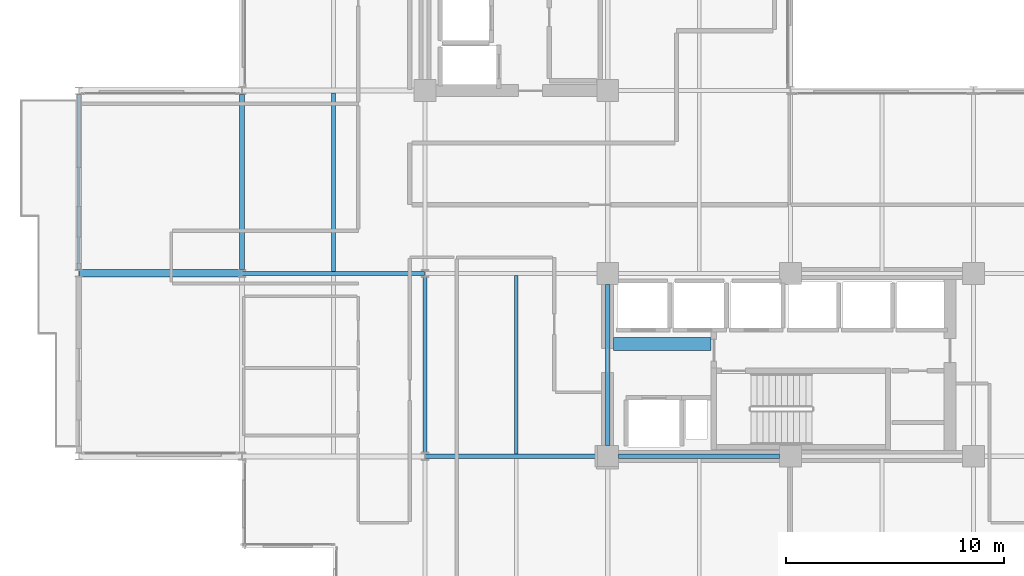
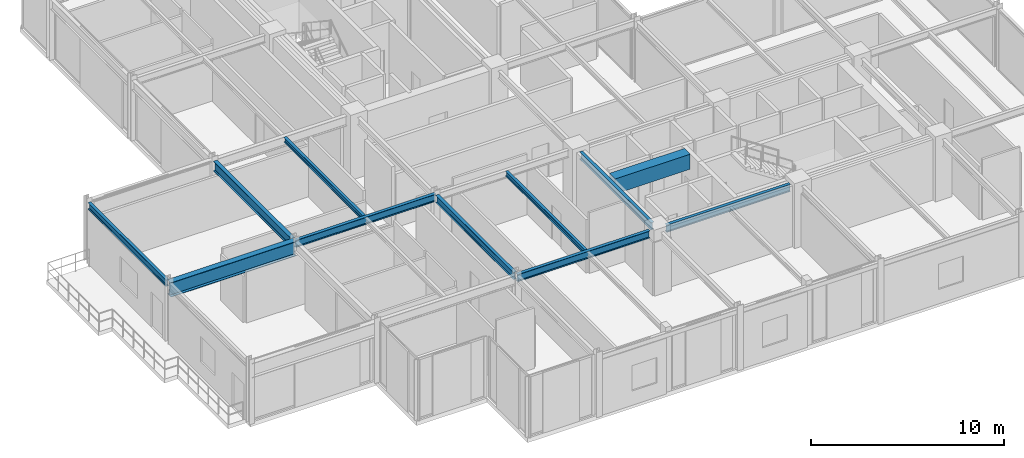
# One storey, part 8 of 29: 11 beams.
"""IFC4 building model written with IfcOpenShell, lengths in metres."""

from ifc_helpers import new_model, si_unit, direction, frame, origin, origin_2d, place, context, subcontext, project, spatial, rectangle, i_section, extrude, material, material_profile, profile_set, type_object, element, save


model = new_model("IFC4")

# Units and contexts
model_context = context("Model", 3, precision=1e-05, world=origin(), true_north=direction((0.0, 1.0)))
body_context = subcontext(model_context, "Body", "Model", "MODEL_VIEW")
ifc_project = project(units=[si_unit("LENGTHUNIT", "METRE"), si_unit("AREAUNIT", "SQUARE_METRE"), si_unit("VOLUMEUNIT", "CUBIC_METRE"), si_unit("PLANEANGLEUNIT", "RADIAN"), si_unit("MASSUNIT", "GRAM", prefix="KILO")], contexts=[model_context])

# Site, building, storey
site_placement = place(None, origin())
site = spatial("IfcSite", under=ifc_project, at=site_placement, CompositionType="ELEMENT")
building_placement = place(site_placement, origin())
building = spatial("IfcBuilding", under=site, at=building_placement, Name="Nerrivon Quay Data Exchange", CompositionType="ELEMENT")
storey_placement = place(building_placement, frame((0.0, 0.0, 187.800048828125)))
storey = spatial("IfcBuildingStorey", under=building, at=storey_placement, Name="L44", CompositionType="ELEMENT", Elevation=187.800048828125)

# Beams
ifc_material_1 = material(Name="Steel Grade 350", Category="steel")
ifc_material_profile_1 = material_profile(ifc_material_1, i_section(OverallWidth=0.35009765625, OverallDepth=0.909912109375, WebThickness=0.011962890625, FlangeThickness=0.02490234375, at=origin_2d()), Name="900WB218")
ifc_profile_set_1 = profile_set([ifc_material_profile_1], Name="Steel Grade 350")
beam_type_1 = type_object("IfcBeamType", Name="BM-CANT-900WB", PredefinedType="USERDEFINED", material=ifc_profile_set_1)
beam_1_placement = place(storey_placement, frame((-0.010009765625, 16.800048828125, 3.369873046875), z_axis=(-1.0, 0.0, 0.0), x_axis=(0.0, -1.0, 0.0)))
element("IfcBeam", 1, at=beam_1_placement, inside=storey, type_object=beam_type_1, Name="L44 West Hooked Cantilever Girder Y=16.8", ObjectType="TRANSFER", PredefinedType="USERDEFINED", context=body_context, shape_type="SweptSolid", body=[
    extrude(i_section(OverallWidth=0.35009765625, OverallDepth=0.909912109375, WebThickness=0.011962890625, FlangeThickness=0.02490234375, at=origin_2d()), origin(), (0.0, 0.0, 1.0), 7.482177734375),
])
ifc_material_2 = material(Name="Concrete N50 (50 MPa)", Category="concrete")
ifc_material_profile_2 = material_profile(ifc_material_2, rectangle(XDim=0.60009765625, YDim=0.949951171875, at=origin_2d()), Name="RC-CB-600x950")
ifc_profile_set_2 = profile_set([ifc_material_profile_2], Name="Concrete N50 (50 MPa)")
beam_type_2 = type_object("IfcBeamType", Name="BM-CB2-600x950", PredefinedType="LINTEL", material=ifc_profile_set_2)
beam_2_placement = place(storey_placement, frame((17.074951171875, 13.550048828125, 3.349853515625), z_axis=(1.0, 0.0, 0.0), x_axis=(0.0, 1.0, 0.0)))
element("IfcBeam", 2, at=beam_2_placement, inside=storey, type_object=beam_type_2, Name="L44 East Core Coupling Beam", PredefinedType="LINTEL", context=body_context, shape_type="SweptSolid", body=[
    extrude(rectangle(XDim=0.60009765625, YDim=0.949951171875, at=origin_2d()), origin(), (0.0, 0.0, 1.0), 4.47998046875),
])
ifc_material_profile_3 = material_profile(ifc_material_1, i_section(OverallWidth=0.22802734375, OverallDepth=0.60205078125, WebThickness=0.010498046875, FlangeThickness=0.014892578125, FilletRadius=0.013916015625, at=origin_2d()), Name="610UB101")
ifc_profile_set_3 = profile_set([ifc_material_profile_3], Name="Steel Grade 350")
beam_type_3 = type_object("IfcBeamType", Name="BM-G2-610UB101", PredefinedType="BEAM", material=ifc_profile_set_3)
beam_3_placement = place(storey_placement, frame((0.0, 16.97509765625, 3.52392578125), z_axis=(0.0, 1.0, 0.0), x_axis=(-1.0, 0.0, 0.0)))
element("IfcBeam", 3, at=beam_3_placement, inside=storey, type_object=beam_type_3, Name="L44 NS Girder X=0.0 (16.8..25.2)", PredefinedType="BEAM", context=body_context, shape_type="SweptSolid", body=[
    extrude(i_section(OverallWidth=0.22802734375, OverallDepth=0.60205078125, WebThickness=0.010498046875, FlangeThickness=0.014892578125, FilletRadius=0.013916015625, at=origin_2d()), origin(), (0.0, 0.0, 1.0), 8.0498046875),
])
ifc_material_profile_4 = material_profile(ifc_material_1, i_section(OverallWidth=0.19091796875, OverallDepth=0.4599609375, WebThickness=0.010009765625, FlangeThickness=0.01611328125, FilletRadius=0.011474609375, at=origin_2d()), Name="460UB82.1")
ifc_profile_set_4 = profile_set([ifc_material_profile_4], Name="Steel Grade 350")
beam_type_4 = type_object("IfcBeamType", Name="BM-G5-460UB82", PredefinedType="BEAM", material=ifc_profile_set_4)
beam_4_placement = place(storey_placement, frame((8.409912109375, 8.39990234375, 3.594970703125), z_axis=(1.0, 0.0, 0.0), x_axis=(0.0, 1.0, 0.0)))
element("IfcBeam", 4, at=beam_4_placement, inside=storey, type_object=beam_type_4, Name="L44 EW Girder Y=8.4 (8.4..16.8)", PredefinedType="BEAM", context=body_context, shape_type="SweptSolid", body=[
    extrude(i_section(OverallWidth=0.19091796875, OverallDepth=0.4599609375, WebThickness=0.010009765625, FlangeThickness=0.01611328125, FilletRadius=0.011474609375, at=origin_2d()), origin(), (0.0, 0.0, 1.0), 7.89013671875),
])
beam_5_placement = place(storey_placement, frame((17.300048828125, 8.39990234375, 3.594970703125), z_axis=(1.0, 0.0, 0.0), x_axis=(0.0, 1.0, 0.0)))
element("IfcBeam", 5, at=beam_5_placement, inside=storey, type_object=beam_type_4, Name="L44 EW Girder Y=8.4 (16.8..25.2)", PredefinedType="BEAM", context=body_context, shape_type="SweptSolid", body=[
    extrude(i_section(OverallWidth=0.19091796875, OverallDepth=0.4599609375, WebThickness=0.010009765625, FlangeThickness=0.01611328125, FilletRadius=0.011474609375, at=origin_2d()), origin(), (0.0, 0.0, 1.0), 7.39990234375),
])
beam_6_placement = place(storey_placement, frame((0.010009765625, 16.800048828125, 3.594970703125), z_axis=(1.0, 0.0, 0.0), x_axis=(0.0, 1.0, 0.0)))
element("IfcBeam", 6, at=beam_6_placement, inside=storey, type_object=beam_type_4, Name="L44 EW Girder Y=16.8 (0.0..8.4)", PredefinedType="BEAM", context=body_context, shape_type="SweptSolid", body=[
    extrude(i_section(OverallWidth=0.19091796875, OverallDepth=0.4599609375, WebThickness=0.010009765625, FlangeThickness=0.01611328125, FilletRadius=0.011474609375, at=origin_2d()), origin(), (0.0, 0.0, 1.0), 8.3798828125),
])
ifc_material_profile_5 = material_profile(ifc_material_1, i_section(OverallWidth=0.18994140625, OverallDepth=0.4541015625, WebThickness=0.008544921875, FlangeThickness=0.0126953125, FilletRadius=0.011474609375, at=origin_2d()), Name="460UB67.1")
ifc_profile_set_5 = profile_set([ifc_material_profile_5], Name="Steel Grade 350")
beam_type_5 = type_object("IfcBeamType", Name="BM-G6-460UB67", PredefinedType="BEAM", material=ifc_profile_set_5)
beam_7_placement = place(storey_placement, frame((8.39990234375, 8.574951171875, 3.597900390625), z_axis=(0.0, 1.0, 0.0), x_axis=(-1.0, 0.0, 0.0)))
element("IfcBeam", 7, at=beam_7_placement, inside=storey, type_object=beam_type_5, Name="L44 NS Girder X=8.4 (8.4..16.8)", PredefinedType="BEAM", context=body_context, shape_type="SweptSolid", body=[
    extrude(i_section(OverallWidth=0.18994140625, OverallDepth=0.4541015625, WebThickness=0.008544921875, FlangeThickness=0.0126953125, FilletRadius=0.011474609375, at=origin_2d()), origin(), (0.0, 0.0, 1.0), 8.050048828125),
])
beam_8_placement = place(storey_placement, frame((16.800048828125, 8.89990234375, 3.597900390625), z_axis=(0.0, 1.0, 0.0), x_axis=(-1.0, 0.0, 0.0)))
element("IfcBeam", 8, at=beam_8_placement, inside=storey, type_object=beam_type_5, Name="L44 NS Girder X=16.8 (8.4..16.8)", PredefinedType="BEAM", context=body_context, shape_type="SweptSolid", body=[
    extrude(i_section(OverallWidth=0.18994140625, OverallDepth=0.4541015625, WebThickness=0.008544921875, FlangeThickness=0.0126953125, FilletRadius=0.011474609375, at=origin_2d()), origin(), (0.0, 0.0, 1.0), 7.400146484375),
])
ifc_material_profile_6 = material_profile(ifc_material_1, i_section(OverallWidth=0.166015625, OverallDepth=0.306884765625, WebThickness=0.006591796875, FlangeThickness=0.01171875, FilletRadius=0.011474609375, at=origin_2d()), Name="310UB46.2")
ifc_profile_set_6 = profile_set([ifc_material_profile_6], Name="Steel Grade 350")
beam_type_6 = type_object("IfcBeamType", Name="BM-J5-310UB46", PredefinedType="JOIST", material=ifc_profile_set_6)
beam_9_placement = place(storey_placement, frame((4.199951171875, 16.8955078125, 3.67138671875), z_axis=(0.0, 1.0, 0.0), x_axis=(-1.0, 0.0, 0.0)))
element("IfcBeam", 9, at=beam_9_placement, inside=storey, type_object=beam_type_6, Name="L44 Secondary Joist X=4.2 (16.8..25.2)", PredefinedType="JOIST", context=body_context, shape_type="SweptSolid", body=[
    extrude(i_section(OverallWidth=0.166015625, OverallDepth=0.306884765625, WebThickness=0.006591796875, FlangeThickness=0.01171875, FilletRadius=0.011474609375, at=origin_2d()), origin(), (0.0, 0.0, 1.0), 8.18994140625),
])
beam_10_placement = place(storey_placement, frame((12.60009765625, 8.49560546875, 3.67138671875), z_axis=(0.0, 1.0, 0.0), x_axis=(-1.0, 0.0, 0.0)))
element("IfcBeam", 10, at=beam_10_placement, inside=storey, type_object=beam_type_6, Name="L44 Secondary Joist X=12.6 (8.4..16.8)", PredefinedType="JOIST", context=body_context, shape_type="SweptSolid", body=[
    extrude(i_section(OverallWidth=0.166015625, OverallDepth=0.306884765625, WebThickness=0.006591796875, FlangeThickness=0.01171875, FilletRadius=0.011474609375, at=origin_2d()), origin(), (0.0, 0.0, 1.0), 8.208984375),
])
ifc_material_profile_7 = material_profile(ifc_material_1, i_section(OverallWidth=0.177978515625, OverallDepth=0.403076171875, WebThickness=0.007568359375, FlangeThickness=0.010986328125, FilletRadius=0.011474609375, at=origin_2d()), Name="410UB53.7")
ifc_profile_set_7 = profile_set([ifc_material_profile_7], Name="Steel Grade 350")
beam_type_7 = type_object("IfcBeamType", Name="BM-SP2-410UB54", PredefinedType="SPANDREL", material=ifc_profile_set_7)
beam_11_placement = place(storey_placement, frame((-7.5, 16.96337890625, 3.62353515625), z_axis=(0.0, 1.0, 0.0), x_axis=(-1.0, 0.0, 0.0)))
element("IfcBeam", 11, at=beam_11_placement, inside=storey, type_object=beam_type_7, Name="L44 West Hooked Edge Spandrel", PredefinedType="SPANDREL", context=body_context, shape_type="SweptSolid", body=[
    extrude(i_section(OverallWidth=0.177978515625, OverallDepth=0.403076171875, WebThickness=0.007568359375, FlangeThickness=0.010986328125, FilletRadius=0.011474609375, at=origin_2d()), origin(), (0.0, 0.0, 1.0), 8.0732421875),
])

save(model, "model.ifc")
